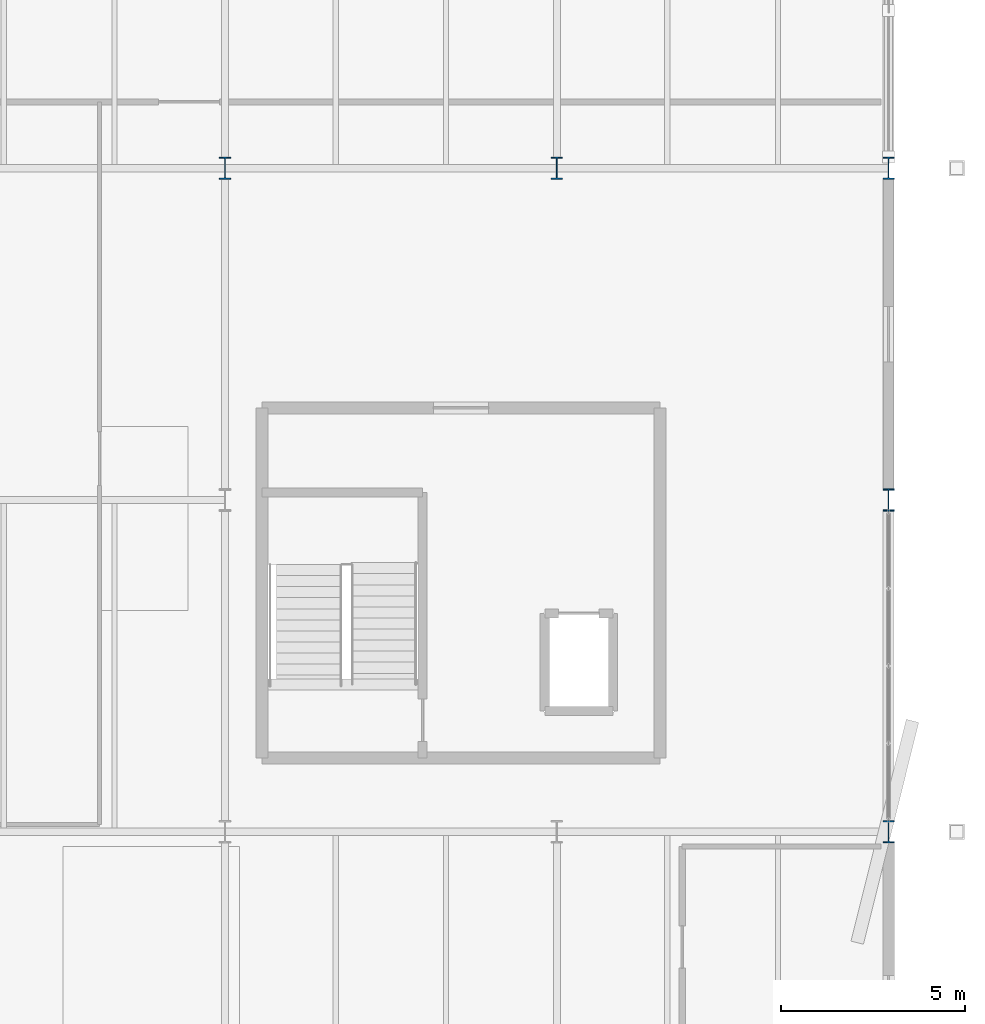
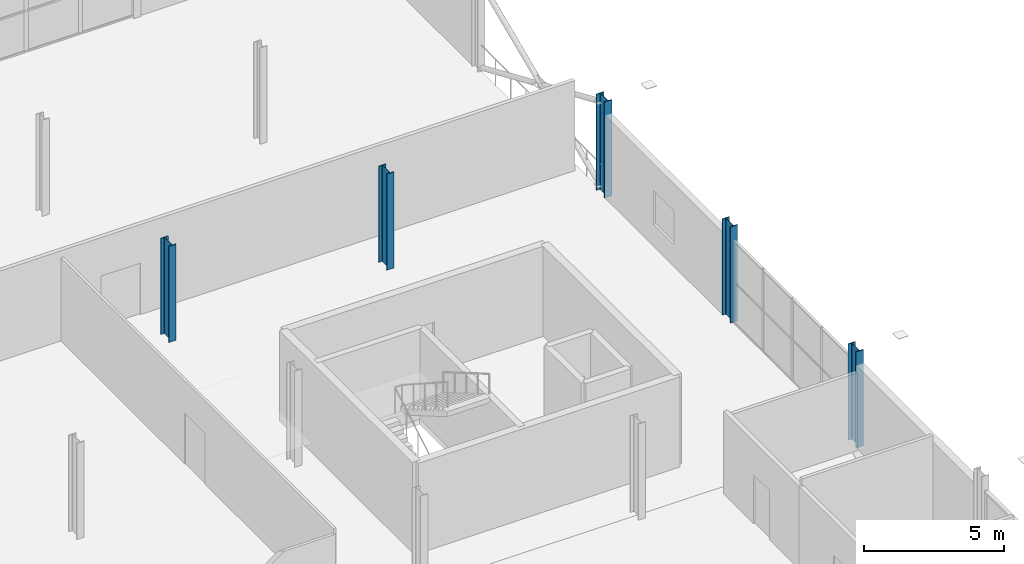
# One storey, part 16 of 132: 5 columns.
"""IFC4 building model written with IfcOpenShell, lengths in metres."""

from ifc_helpers import new_model, si_unit, direction, frame, origin, origin_2d, place, context, subcontext, project, spatial, i_section, extrude, material, material_profile, profile_set, type_object, element, save


model = new_model("IFC4")

# Units and contexts
model_context = context("Model", 3, precision=1e-05, world=origin(), true_north=direction((0.0, 1.0)))
body_context = subcontext(model_context, "Body", "Model", "MODEL_VIEW")
ifc_project = project(units=[si_unit("LENGTHUNIT", "METRE"), si_unit("AREAUNIT", "SQUARE_METRE"), si_unit("VOLUMEUNIT", "CUBIC_METRE"), si_unit("PLANEANGLEUNIT", "RADIAN"), si_unit("MASSUNIT", "GRAM", prefix="KILO")], contexts=[model_context])

# Site, building, storey
site_placement = place(None, origin())
site = spatial("IfcSite", under=ifc_project, at=site_placement, CompositionType="ELEMENT")
building_placement = place(site_placement, origin())
building = spatial("IfcBuilding", under=site, at=building_placement, Name="Deido Ridge Mobility Hub", CompositionType="ELEMENT")
storey_placement = place(building_placement, frame((0.0, 0.0, 8.39990234375)))
storey = spatial("IfcBuildingStorey", under=building, at=storey_placement, Name="L02", CompositionType="ELEMENT", Elevation=8.39990234375)

# Columns
ifc_material = material(Name="Steel S355J2 EN 10025-2", Category="steel")
ifc_material_profile = material_profile(ifc_material, i_section(OverallWidth=0.300048828125, OverallDepth=0.60009765625, WebThickness=0.015380859375, FlangeThickness=0.030029296875, FilletRadius=0.027099609375, at=origin_2d()), Name="HEB 600")
ifc_profile_set = profile_set([ifc_material_profile], Name="Steel S355J2 EN 10025-2")
column_type = type_object("IfcColumnType", Name="COL-HEB600", PredefinedType="COLUMN", material=ifc_profile_set)
for number, where, z_axis, x_axis, name in (
    (1, (180.0, 36.0, 0.0), (0.0, 0.0, 1.0), (1.0, 0.0, 0.0), "Structural column C4"),
    (2, (180.0, 45.0, 0.0), (0.0, 0.0, 1.0), (1.0, 0.0, 0.0), "Structural column C4"),
    (3, (162.0, 54.0, 0.0), (0.0, 0.0, 1.0), (1.0, 0.0, 0.0), "Structural column C4"),
    (4, (171.0, 54.0, 0.0), (0.0, 0.0, 1.0), (1.0, 0.0, 0.0), "Structural column C4"),
    (5, (180.0, 54.0, 0.0), (0.0, 0.0, 1.0), (1.0, 0.0, 0.0), "Structural column C4"),
):
    element("IfcColumn", number, at=place(storey_placement, frame(where, z_axis=z_axis, x_axis=x_axis)), inside=storey, type_object=column_type, Name=name, PredefinedType="COLUMN", context=body_context, shape_type="SweptSolid", body=[
        extrude(i_section(OverallWidth=0.300048828125, OverallDepth=0.60009765625, WebThickness=0.015380859375, FlangeThickness=0.030029296875, FilletRadius=0.027099609375, at=origin_2d()), origin(), (0.0, 0.0, 1.0), 4.2001953125),
    ])

save(model, "model.ifc")
